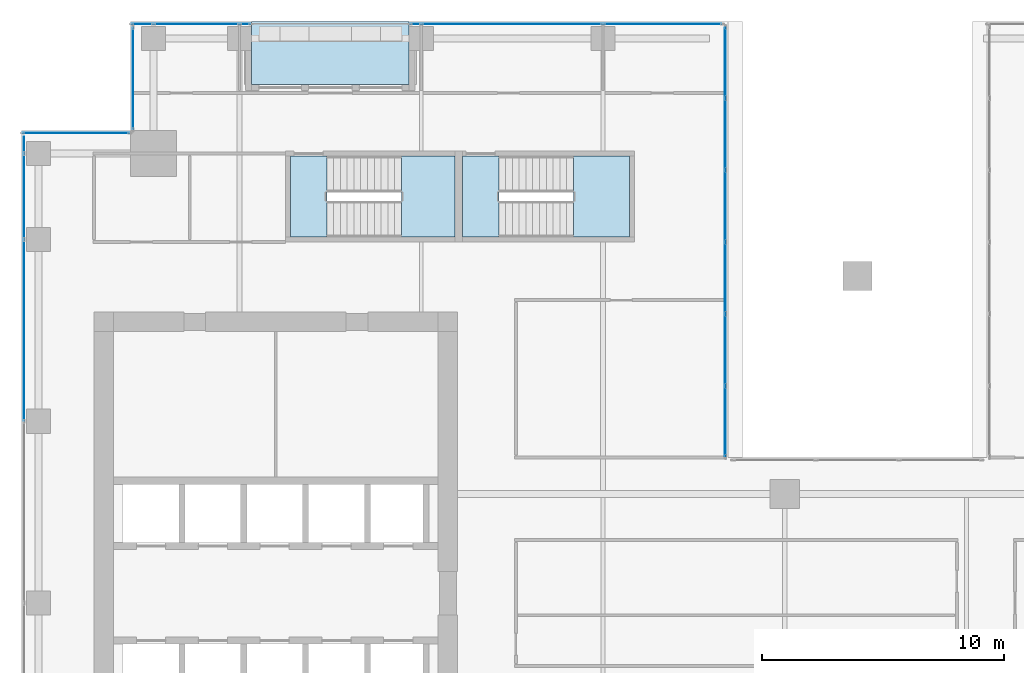
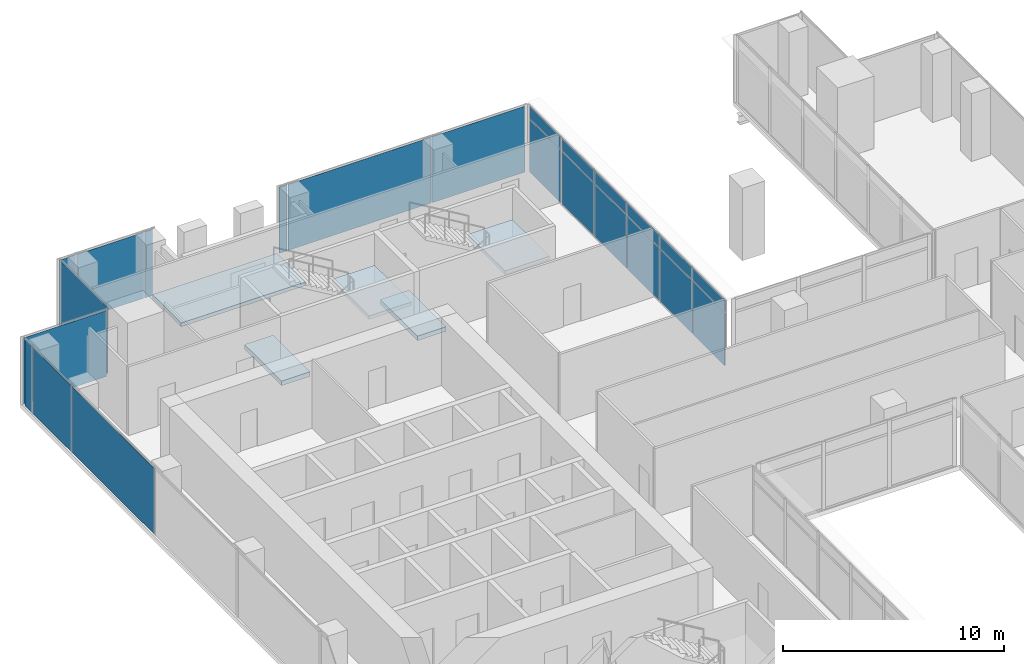
# One storey, part 31 of 38: 23 plates, 5 slabs, 8 elements without a shape of their own.
"""IFC4 building model written with IfcOpenShell, lengths in metres."""

from ifc_helpers import new_model, si_unit, direction, frame, origin, origin_2d, place, context, subcontext, project, spatial, polyline, rectangle, outline, extrude, source, transform, mapped, material, layer, layer_set, type_object, element, aggregate, save


model = new_model("IFC4")

# Units and contexts
model_context = context("Model", 3, precision=1e-05, world=origin(), true_north=direction((0.0, 1.0)))
body_context = subcontext(model_context, "Body", "Model", "MODEL_VIEW")
ifc_project = project(units=[si_unit("LENGTHUNIT", "METRE"), si_unit("AREAUNIT", "SQUARE_METRE"), si_unit("VOLUMEUNIT", "CUBIC_METRE"), si_unit("PLANEANGLEUNIT", "RADIAN"), si_unit("MASSUNIT", "GRAM", prefix="KILO")], contexts=[model_context])

# Site, building, storey
site_placement = place(None, origin())
site = spatial("IfcSite", under=ifc_project, at=site_placement, CompositionType="ELEMENT")
building_placement = place(site_placement, origin())
building = spatial("IfcBuilding", under=site, at=building_placement, Name="Khomas Fold Tower", CompositionType="ELEMENT")
storey_placement = place(building_placement, frame((0.0, 0.0, 172.699951171875)))
storey = spatial("IfcBuildingStorey", under=building, at=storey_placement, Name="L37", CompositionType="ELEMENT", Elevation=172.699951171875)

# Curtain wall, plate
ifc_material_1 = material(Name="Aluminium framed double glazing", Category="aluminium")
curtain_wall_type_1 = type_object("IfcCurtainWallType", Name="SK-Unitised clear-glass wall, office floors CW2", PredefinedType="NOTDEFINED", material=ifc_material_1)
curtain_wall_1_placement = place(storey_placement, origin())
curtain_wall_1 = element("IfcCurtainWall", 1, at=curtain_wall_1_placement, inside=storey, type_object=curtain_wall_type_1, Name="CW2 corner return L37 17", PredefinedType="NOTDEFINED")
ifc_material_2 = material(Name="Clear double glazed unit")
ifc_layer_1 = layer(ifc_material_2, 0.030029296875)
ifc_layer_set_1 = layer_set([ifc_layer_1], Name="Clear double glazed unit")
plate_type_1 = type_object("IfcPlateType", Name="SK-Unitised clear-glass wall, office floors glass panel CW2-P", PredefinedType="CURTAIN_PANEL", material=ifc_layer_set_1)
shared_shape_1 = source(origin(), body_context, "Body", "SweptSolid", [
    extrude(rectangle(XDim=4.3798828125, YDim=0.030029296875, at=origin_2d()), origin(), (0.0, 0.0, 1.0), 3.639892578125),
])
plate_1_placement = place(storey_placement, frame((5.25, 46.39990234375, 0.0), z_axis=(0.0, 0.0, 1.0), x_axis=(-1.0, 0.0, 0.0)))
plate_1 = element("IfcPlate", 2, at=plate_1_placement, type_object=plate_type_1, Name="CW2 glass panel 1", PredefinedType="CURTAIN_PANEL", context=body_context, shape_type="MappedRepresentation", body=[
    mapped(shared_shape_1, transform((0.0, 0.0, 0.0))),
])
aggregate(curtain_wall_1, [plate_1])

curtain_wall_2_placement = place(storey_placement, origin())
curtain_wall_2 = element("IfcCurtainWall", 3, at=curtain_wall_2_placement, inside=storey, type_object=curtain_wall_type_1, Name="CW2 run L37 18-0", PredefinedType="NOTDEFINED")
shared_shape_2 = source(origin(), body_context, "Body", "SweptSolid", [
    extrude(rectangle(XDim=0.659912109375, YDim=0.030029296875, at=origin_2d()), origin(), (0.0, 0.0, 1.0), 3.639892578125),
])
plate_2_placement = place(storey_placement, frame((3.10009765625, 45.909912109375, 0.0), z_axis=(0.0, 0.0, 1.0), x_axis=(0.0, -1.0, 0.0)))
plate_2 = element("IfcPlate", 4, at=plate_2_placement, type_object=plate_type_1, Name="CW2 glass panel 1", PredefinedType="CURTAIN_PANEL", context=body_context, shape_type="MappedRepresentation", body=[
    mapped(shared_shape_2, transform((0.0, 0.0, 0.0))),
])

curtain_wall_3_placement = place(storey_placement, origin())
curtain_wall_3 = element("IfcCurtainWall", 5, at=curtain_wall_3_placement, inside=storey, type_object=curtain_wall_type_1, Name="CW2 run L37 15-1", PredefinedType="NOTDEFINED")
shared_shape_3 = source(origin(), body_context, "Body", "SweptSolid", [
    extrude(rectangle(XDim=3.489990234375, YDim=0.030029296875, at=origin_2d()), origin(), (0.0, 0.0, 1.0), 3.639892578125),
])
plate_3_placement = place(storey_placement, frame((10.22509765625, 50.89990234375, 0.0), z_axis=(0.0, 0.0, 1.0), x_axis=(-1.0, 0.0, 0.0)))
plate_3 = element("IfcPlate", 6, at=plate_3_placement, type_object=plate_type_1, Name="CW2 glass panel 2", PredefinedType="CURTAIN_PANEL", context=body_context, shape_type="MappedRepresentation", body=[
    mapped(shared_shape_3, transform((0.0, 0.0, 0.0))),
])

# Plate
plate_4_placement = place(storey_placement, frame((3.10009765625, 43.77490234375, 0.0), z_axis=(0.0, 0.0, 1.0), x_axis=(0.0, -1.0, 0.0)))
plate_4 = element("IfcPlate", 7, at=plate_4_placement, type_object=plate_type_1, Name="CW2 glass panel 2", PredefinedType="CURTAIN_PANEL", context=body_context, shape_type="MappedRepresentation", body=[
    mapped(shared_shape_3, transform((0.0, 0.0, 0.0))),
])

# Curtain wall, plate
curtain_wall_4_placement = place(storey_placement, origin())
curtain_wall_4 = element("IfcCurtainWall", 8, at=curtain_wall_4_placement, inside=storey, type_object=curtain_wall_type_1, Name="CW2 run L37 15-0", PredefinedType="NOTDEFINED")
shared_shape_4 = source(origin(), body_context, "Body", "SweptSolid", [
    extrude(rectangle(XDim=7.43994140625, YDim=0.030029296875, at=origin_2d()), origin(), (0.0, 0.0, 1.0), 3.639892578125),
])
plate_5_placement = place(storey_placement, frame((23.25, 50.89990234375, 0.0), z_axis=(0.0, 0.0, 1.0), x_axis=(-1.0, 0.0, 0.0)))
plate_5 = element("IfcPlate", 9, at=plate_5_placement, type_object=plate_type_1, Name="CW2 glass panel 2", PredefinedType="CURTAIN_PANEL", context=body_context, shape_type="MappedRepresentation", body=[
    mapped(shared_shape_4, transform((0.0, 0.0, 0.0))),
])

# Plate
plate_6_placement = place(storey_placement, frame((3.10009765625, 38.25, 0.0), z_axis=(0.0, 0.0, 1.0), x_axis=(0.0, -1.0, 0.0)))
plate_6 = element("IfcPlate", 10, at=plate_6_placement, type_object=plate_type_1, Name="CW2 glass panel 3", PredefinedType="CURTAIN_PANEL", context=body_context, shape_type="MappedRepresentation", body=[
    mapped(shared_shape_4, transform((0.0, 0.0, 0.0))),
])

aggregate(curtain_wall_2, [plate_2, plate_4, plate_6])

# Curtain wall, plate
curtain_wall_5_placement = place(storey_placement, origin())
curtain_wall_5 = element("IfcCurtainWall", 11, at=curtain_wall_5_placement, inside=storey, type_object=curtain_wall_type_1, Name="CW2 corner return L37 16", PredefinedType="NOTDEFINED")
shared_shape_5 = source(origin(), body_context, "Body", "SweptSolid", [
    extrude(rectangle(XDim=4.179931640625, YDim=0.030029296875, at=origin_2d()), origin(), (0.0, 0.0, 1.0), 3.639892578125),
])
plate_7_placement = place(storey_placement, frame((7.60009765625, 48.64990234375, 0.0), z_axis=(0.0, 0.0, 1.0), x_axis=(0.0, -1.0, 0.0)))
plate_7 = element("IfcPlate", 12, at=plate_7_placement, type_object=plate_type_1, Name="CW2 glass panel 1", PredefinedType="CURTAIN_PANEL", context=body_context, shape_type="MappedRepresentation", body=[
    mapped(shared_shape_5, transform((0.0, 0.0, 0.0))),
])
aggregate(curtain_wall_5, [plate_7])

# Plate
shared_shape_6 = source(origin(), body_context, "Body", "SweptSolid", [
    extrude(rectangle(XDim=0.409912109375, YDim=0.030029296875, at=origin_2d()), origin(), (0.0, 0.0, 1.0), 3.639892578125),
])
plate_8_placement = place(storey_placement, frame((19.264892578125, 50.89990234375, 0.0), z_axis=(0.0, 0.0, 1.0), x_axis=(-1.0, 0.0, 0.0)))
plate_8 = element("IfcPlate", 13, at=plate_8_placement, type_object=plate_type_1, Name="CW2 glass panel 3", PredefinedType="CURTAIN_PANEL", context=body_context, shape_type="MappedRepresentation", body=[
    mapped(shared_shape_6, transform((0.0, 0.0, 0.0))),
])

plate_9_placement = place(storey_placement, frame((12.235107421875, 50.89990234375, 0.0), z_axis=(0.0, 0.0, 1.0), x_axis=(-1.0, 0.0, 0.0)))
plate_9 = element("IfcPlate", 14, at=plate_9_placement, type_object=plate_type_1, Name="CW2 glass panel 1", PredefinedType="CURTAIN_PANEL", context=body_context, shape_type="MappedRepresentation", body=[
    mapped(shared_shape_6, transform((0.0, 0.0, 0.0))),
])

shared_shape_7 = source(origin(), body_context, "Body", "SweptSolid", [
    extrude(rectangle(XDim=0.860107421875, YDim=0.030029296875, at=origin_2d()), origin(), (0.0, 0.0, 1.0), 3.639892578125),
])
plate_10_placement = place(storey_placement, frame((7.989990234375, 50.89990234375, 0.0), z_axis=(0.0, 0.0, 1.0), x_axis=(-1.0, 0.0, 0.0)))
plate_10 = element("IfcPlate", 15, at=plate_10_placement, type_object=plate_type_1, Name="CW2 glass panel 3", PredefinedType="CURTAIN_PANEL", context=body_context, shape_type="MappedRepresentation", body=[
    mapped(shared_shape_7, transform((0.0, 0.0, 0.0))),
])

aggregate(curtain_wall_3, [plate_9, plate_3, plate_10])

shared_shape_8 = source(origin(), body_context, "Body", "SweptSolid", [
    extrude(rectangle(XDim=4.860107421875, YDim=0.030029296875, at=origin_2d()), origin(), (0.0, 0.0, 1.0), 3.639892578125),
])
plate_11_placement = place(storey_placement, frame((29.4599609375, 50.89990234375, 0.0), z_axis=(0.0, 0.0, 1.0), x_axis=(-1.0, 0.0, 0.0)))
plate_11 = element("IfcPlate", 16, at=plate_11_placement, type_object=plate_type_1, Name="CW2 glass panel 1", PredefinedType="CURTAIN_PANEL", context=body_context, shape_type="MappedRepresentation", body=[
    mapped(shared_shape_8, transform((0.0, 0.0, 0.0))),
])

aggregate(curtain_wall_4, [plate_11, plate_5, plate_8])

# Slab
ifc_material_3 = material(Name="Concrete C40/50", Category="concrete")
ifc_layer_2 = layer(ifc_material_3, 0.205078125)
ifc_layer_set_2 = layer_set([ifc_layer_2], Name="Concrete C40/50")
slab_type_1 = type_object("IfcSlabType", Name="BL-Balcony deck 205", PredefinedType="FLOOR", material=ifc_layer_set_2)
shared_shape_9 = source(origin(), body_context, "Body", "SweptSolid", [
    extrude(outline(polyline([(12.5, 48.39990234375), (19.0, 48.39990234375), (19.0, 51.0), (12.5, 51.0), (12.5, 48.39990234375)])), origin(), (0.0, 0.0, 1.0), 0.205078125),
])
slab_1_placement = place(storey_placement, frame((0.0, 0.0, -0.25)))
element("IfcSlab", 17, at=slab_1_placement, inside=storey, type_object=slab_type_1, Name="Balcony deck BAL-L37-N1", PredefinedType="FLOOR", context=body_context, shape_type="MappedRepresentation", body=[
    mapped(shared_shape_9, transform((0.0, 0.0, 0.0))),
])

# Curtain wall, plates
ifc_material_4 = material(Name="Aluminium framed double glazing", Category="aluminium")
curtain_wall_type_2 = type_object("IfcCurtainWallType", Name="Notch glazing GN-CW", PredefinedType="NOTDEFINED", material=ifc_material_4)
curtain_wall_6_placement = place(storey_placement, origin())
curtain_wall_6 = element("IfcCurtainWall", 18, at=curtain_wall_6_placement, inside=storey, type_object=curtain_wall_type_2, Name="Notch glazing run", PredefinedType="NOTDEFINED")
ifc_material_5 = material(Name="Double glazed unit")
ifc_layer_3 = layer(ifc_material_5, 0.031982421875)
ifc_layer_set_3 = layer_set([ifc_layer_3], Name="Double glazed unit")
plate_type_2 = type_object("IfcPlateType", Name="Notch glazing panel GN-CW-P", PredefinedType="CURTAIN_PANEL", material=ifc_layer_set_3)
shared_shape_10 = source(origin(), body_context, "Body", "SweptSolid", [
    extrude(rectangle(XDim=2.876708984375, YDim=0.031982421875, at=origin_2d()), origin(), (0.0, 0.0, 1.0), 2.909912109375),
])
plate_12_placement = place(storey_placement, frame((32.050048828125, 34.498291015625, 0.06005859375), z_axis=(0.0, 0.0, 1.0), x_axis=(0.0, 1.0, 0.0)))
plate_12 = element("IfcPlate", 19, at=plate_12_placement, type_object=plate_type_2, Name="GN-CW panel 1.1", PredefinedType="CURTAIN_PANEL", context=body_context, shape_type="MappedRepresentation", body=[
    mapped(shared_shape_10, transform((0.0, 0.0, 0.0))),
])
plate_13_placement = place(storey_placement, frame((32.050048828125, 49.3017578125, 0.06005859375), z_axis=(0.0, 0.0, 1.0), x_axis=(0.0, 1.0, 0.0)))
plate_13 = element("IfcPlate", 20, at=plate_13_placement, type_object=plate_type_2, Name="GN-CW panel 6.1", PredefinedType="CURTAIN_PANEL", context=body_context, shape_type="MappedRepresentation", body=[
    mapped(shared_shape_10, transform((0.0, 0.0, 0.0))),
])
shared_shape_11 = source(origin(), body_context, "Body", "SweptSolid", [
    extrude(rectangle(XDim=2.90673828125, YDim=0.031982421875, at=origin_2d()), origin(), (0.0, 0.0, 1.0), 2.909912109375),
])
plate_14_placement = place(storey_placement, frame((32.050048828125, 37.449951171875, 0.06005859375), z_axis=(0.0, 0.0, 1.0), x_axis=(0.0, 1.0, 0.0)))
plate_14 = element("IfcPlate", 21, at=plate_14_placement, type_object=plate_type_2, Name="GN-CW panel 2.1", PredefinedType="CURTAIN_PANEL", context=body_context, shape_type="MappedRepresentation", body=[
    mapped(shared_shape_11, transform((0.0, 0.0, 0.0))),
])
plate_15_placement = place(storey_placement, frame((32.050048828125, 40.416748046875, 0.06005859375), z_axis=(0.0, 0.0, 1.0), x_axis=(0.0, 1.0, 0.0)))
plate_15 = element("IfcPlate", 22, at=plate_15_placement, type_object=plate_type_2, Name="GN-CW panel 3.1", PredefinedType="CURTAIN_PANEL", context=body_context, shape_type="MappedRepresentation", body=[
    mapped(shared_shape_11, transform((0.0, 0.0, 0.0))),
])
plate_16_placement = place(storey_placement, frame((32.050048828125, 43.38330078125, 0.06005859375), z_axis=(0.0, 0.0, 1.0), x_axis=(0.0, 1.0, 0.0)))
plate_16 = element("IfcPlate", 23, at=plate_16_placement, type_object=plate_type_2, Name="GN-CW panel 4.1", PredefinedType="CURTAIN_PANEL", context=body_context, shape_type="MappedRepresentation", body=[
    mapped(shared_shape_11, transform((0.0, 0.0, 0.0))),
])
plate_17_placement = place(storey_placement, frame((32.050048828125, 46.35009765625, 0.06005859375), z_axis=(0.0, 0.0, 1.0), x_axis=(0.0, 1.0, 0.0)))
plate_17 = element("IfcPlate", 24, at=plate_17_placement, type_object=plate_type_2, Name="GN-CW panel 5.1", PredefinedType="CURTAIN_PANEL", context=body_context, shape_type="MappedRepresentation", body=[
    mapped(shared_shape_11, transform((0.0, 0.0, 0.0))),
])
shared_shape_12 = source(origin(), body_context, "Body", "SweptSolid", [
    extrude(rectangle(XDim=2.876708984375, YDim=0.031982421875, at=origin_2d()), origin(), (0.0, 0.0, 1.0), 0.659912109375),
])
plate_18_placement = place(storey_placement, frame((32.050048828125, 34.498291015625, 3.0302734375), z_axis=(0.0, 0.0, 1.0), x_axis=(0.0, 1.0, 0.0)))
plate_18 = element("IfcPlate", 25, at=plate_18_placement, type_object=plate_type_2, Name="GN-CW panel 1.2", PredefinedType="CURTAIN_PANEL", context=body_context, shape_type="MappedRepresentation", body=[
    mapped(shared_shape_12, transform((0.0, 0.0, 0.0))),
])
plate_19_placement = place(storey_placement, frame((32.050048828125, 49.3017578125, 3.0302734375), z_axis=(0.0, 0.0, 1.0), x_axis=(0.0, 1.0, 0.0)))
plate_19 = element("IfcPlate", 26, at=plate_19_placement, type_object=plate_type_2, Name="GN-CW panel 6.2", PredefinedType="CURTAIN_PANEL", context=body_context, shape_type="MappedRepresentation", body=[
    mapped(shared_shape_12, transform((0.0, 0.0, 0.0))),
])
shared_shape_13 = source(origin(), body_context, "Body", "SweptSolid", [
    extrude(rectangle(XDim=2.90673828125, YDim=0.031982421875, at=origin_2d()), origin(), (0.0, 0.0, 1.0), 0.659912109375),
])
plate_20_placement = place(storey_placement, frame((32.050048828125, 37.449951171875, 3.0302734375), z_axis=(0.0, 0.0, 1.0), x_axis=(0.0, 1.0, 0.0)))
plate_20 = element("IfcPlate", 27, at=plate_20_placement, type_object=plate_type_2, Name="GN-CW panel 2.2", PredefinedType="CURTAIN_PANEL", context=body_context, shape_type="MappedRepresentation", body=[
    mapped(shared_shape_13, transform((0.0, 0.0, 0.0))),
])
plate_21_placement = place(storey_placement, frame((32.050048828125, 40.416748046875, 3.0302734375), z_axis=(0.0, 0.0, 1.0), x_axis=(0.0, 1.0, 0.0)))
plate_21 = element("IfcPlate", 28, at=plate_21_placement, type_object=plate_type_2, Name="GN-CW panel 3.2", PredefinedType="CURTAIN_PANEL", context=body_context, shape_type="MappedRepresentation", body=[
    mapped(shared_shape_13, transform((0.0, 0.0, 0.0))),
])
plate_22_placement = place(storey_placement, frame((32.050048828125, 43.38330078125, 3.0302734375), z_axis=(0.0, 0.0, 1.0), x_axis=(0.0, 1.0, 0.0)))
plate_22 = element("IfcPlate", 29, at=plate_22_placement, type_object=plate_type_2, Name="GN-CW panel 4.2", PredefinedType="CURTAIN_PANEL", context=body_context, shape_type="MappedRepresentation", body=[
    mapped(shared_shape_13, transform((0.0, 0.0, 0.0))),
])
plate_23_placement = place(storey_placement, frame((32.050048828125, 46.35009765625, 3.0302734375), z_axis=(0.0, 0.0, 1.0), x_axis=(0.0, 1.0, 0.0)))
plate_23 = element("IfcPlate", 30, at=plate_23_placement, type_object=plate_type_2, Name="GN-CW panel 5.2", PredefinedType="CURTAIN_PANEL", context=body_context, shape_type="MappedRepresentation", body=[
    mapped(shared_shape_13, transform((0.0, 0.0, 0.0))),
])
aggregate(curtain_wall_6, [plate_12, plate_18, plate_14, plate_20, plate_15, plate_21, plate_16, plate_22, plate_17, plate_23, plate_13, plate_19])

# Stair, slab
ifc_material_6 = material(Name="Concrete C40/50", Category="concrete")
stair_type_1 = type_object("IfcStairType", Name="Stair ST1", PredefinedType="HALF_TURN_STAIR", material=ifc_material_6)
stair_1_placement = place(storey_placement, origin())
stair_1 = element("IfcStair", 31, at=stair_1_placement, inside=storey, type_object=stair_type_1, Name="L37 ST1", PredefinedType="HALF_TURN_STAIR")
ifc_material_7 = material(Name="Concrete C40/50", Category="concrete")
ifc_layer_4 = layer(ifc_material_7, 0.199951171875)
ifc_layer_set_4 = layer_set([ifc_layer_4], Name="Concrete C40/50")
slab_type_2 = type_object("IfcSlabType", Name="Stair landing 200", PredefinedType="LANDING", material=ifc_layer_set_4)
shared_shape_14 = source(origin(), body_context, "Body", "SweptSolid", [
    extrude(outline(polyline([(18.679931640625, 42.10009765625), (20.89990234375, 42.10009765625), (20.89990234375, 45.449951171875), (18.679931640625, 45.449951171875), (18.679931640625, 42.10009765625)])), origin(), (0.0, 0.0, 1.0), 0.199951171875),
])
slab_2_placement = place(storey_placement, frame((0.0, 0.0, 1.800048828125)))
slab_2 = element("IfcSlab", 32, at=slab_2_placement, type_object=slab_type_2, Name="ST1 landing 1", PredefinedType="LANDING", context=body_context, shape_type="MappedRepresentation", body=[
    mapped(shared_shape_14, transform((0.0, 0.0, 0.0))),
])
aggregate(stair_1, [slab_2])

# Slab
ifc_material_8 = material(Name="Concrete C40/50", Category="concrete")
ifc_layer_5 = layer(ifc_material_8, 0.25)
ifc_layer_set_5 = layer_set([ifc_layer_5], Name="Concrete C40/50")
slab_type_3 = type_object("IfcSlabType", Name="Stair floor landing 250", PredefinedType="LANDING", material=ifc_layer_set_5)
shared_shape_15 = source(origin(), body_context, "Body", "SweptSolid", [
    extrude(outline(polyline([(15.60009765625, 42.10009765625), (14.10009765625, 42.10009765625), (14.10009765625, 45.449951171875), (15.60009765625, 45.449951171875), (15.60009765625, 42.10009765625)])), origin(), (0.0, 0.0, 1.0), 0.25),
])
slab_3_placement = place(storey_placement, frame((0.0, 0.0, -0.25)))
element("IfcSlab", 33, at=slab_3_placement, inside=storey, type_object=slab_type_3, Name="ST1 floor landing", PredefinedType="LANDING", context=body_context, shape_type="MappedRepresentation", body=[
    mapped(shared_shape_15, transform((0.0, 0.0, 0.0))),
])

# Stair, slab
ifc_material_9 = material(Name="Concrete C40/50", Category="concrete")
stair_type_2 = type_object("IfcStairType", Name="Stair ST3", PredefinedType="HALF_TURN_STAIR", material=ifc_material_9)
stair_2_placement = place(storey_placement, origin())
stair_2 = element("IfcStair", 34, at=stair_2_placement, inside=storey, type_object=stair_type_2, Name="L37 ST3", PredefinedType="HALF_TURN_STAIR")
shared_shape_16 = source(origin(), body_context, "Body", "SweptSolid", [
    extrude(outline(polyline([(25.780029296875, 42.10009765625), (28.10009765625, 42.10009765625), (28.10009765625, 45.449951171875), (25.780029296875, 45.449951171875), (25.780029296875, 42.10009765625)])), origin(), (0.0, 0.0, 1.0), 0.199951171875),
])
slab_4_placement = place(storey_placement, frame((0.0, 0.0, 1.800048828125)))
slab_4 = element("IfcSlab", 35, at=slab_4_placement, type_object=slab_type_2, Name="ST3 landing 1", PredefinedType="LANDING", context=body_context, shape_type="MappedRepresentation", body=[
    mapped(shared_shape_16, transform((0.0, 0.0, 0.0))),
])
aggregate(stair_2, [slab_4])

# Slab
shared_shape_17 = source(origin(), body_context, "Body", "SweptSolid", [
    extrude(outline(polyline([(22.699951171875, 42.10009765625), (21.199951171875, 42.10009765625), (21.199951171875, 45.449951171875), (22.699951171875, 45.449951171875), (22.699951171875, 42.10009765625)])), origin(), (0.0, 0.0, 1.0), 0.25),
])
slab_5_placement = place(storey_placement, frame((0.0, 0.0, -0.25)))
element("IfcSlab", 36, at=slab_5_placement, inside=storey, type_object=slab_type_3, Name="ST3 floor landing", PredefinedType="LANDING", context=body_context, shape_type="MappedRepresentation", body=[
    mapped(shared_shape_17, transform((0.0, 0.0, 0.0))),
])

save(model, "model.ifc")
